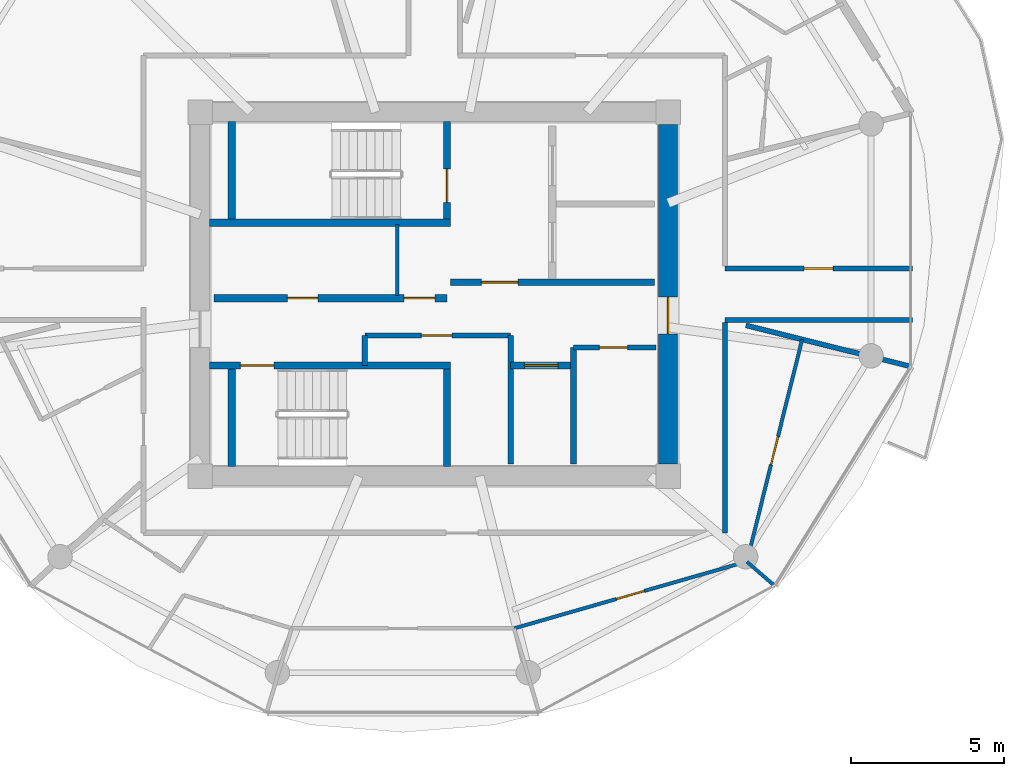
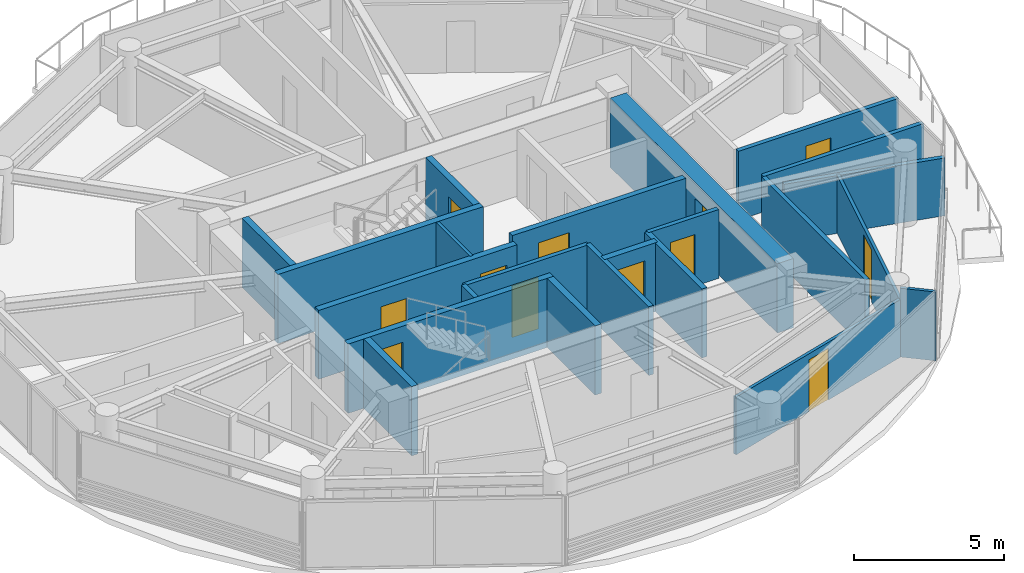
# One storey, part 15 of 23: 23 walls, 12 doors, 12 openings.
"""IFC4 building model written with IfcOpenShell, lengths in metres."""

from ifc_helpers import new_model, si_unit, direction, frame, frame_2d, origin, place, context, subcontext, project, spatial, rectangle, extrude, source, transform, mapped, material, layer, layer_set, type_object, type_shapes, element, fill, save


model = new_model("IFC4")

# Units and contexts
model_context = context("Model", 3, precision=1e-05, world=origin(), true_north=direction((0.0, 1.0)))
body_context = subcontext(model_context, "Body", "Model", "MODEL_VIEW")
ifc_project = project(units=[si_unit("LENGTHUNIT", "METRE"), si_unit("AREAUNIT", "SQUARE_METRE"), si_unit("VOLUMEUNIT", "CUBIC_METRE"), si_unit("PLANEANGLEUNIT", "RADIAN"), si_unit("MASSUNIT", "GRAM", prefix="KILO")], contexts=[model_context])

# Site, building, storey
site_placement = place(None, origin())
site = spatial("IfcSite", under=ifc_project, at=site_placement, CompositionType="ELEMENT")
building_placement = place(site_placement, origin())
building = spatial("IfcBuilding", under=site, at=building_placement, Name="Norrkilde Senior Care Towers", CompositionType="ELEMENT")
storey_placement = place(building_placement, frame((0.0, 0.0, 173.949951171875)))
storey = spatial("IfcBuildingStorey", under=building, at=storey_placement, Name="L54", CompositionType="ELEMENT", Elevation=173.949951171875)

# Wall, opening, door
ifc_material_1 = material(Name="Concrete C50/60", Category="concrete")
ifc_layer_1 = layer(ifc_material_1, 0.6201171875)
ifc_layer_set_1 = layer_set([ifc_layer_1], Name="Concrete C50/60")
wall_type_1 = type_object("IfcWallType", Name="Core Shear Wall Z3 620", PredefinedType="SHEAR", material=ifc_layer_set_1)
shared_shape_1 = source(origin(), body_context, "Body", "SweptSolid", [
    extrude(rectangle(XDim=11.10009765625, YDim=0.6201171875, at=frame_2d((5.550048828125, 0.0))), origin(), (0.0, 0.0, 1.0), 2.81005859375),
])
type_shapes(wall_type_1, [shared_shape_1])
wall_1_placement = place(storey_placement, frame((35.64990234375, 5.550048828125, 0.0), z_axis=(0.0, 0.0, 1.0), x_axis=(0.0, -1.0, 0.0)))
wall_1 = element("IfcWall", 1, at=wall_1_placement, inside=storey, type_object=wall_type_1, Name="L54 Core E East Shear Wall", PredefinedType="SHEAR", context=body_context, shape_type="MappedRepresentation", body=[
    mapped(shared_shape_1, transform((0.0, 0.0, 0.0), x_axis=(1.0, 0.0, 0.0), y_axis=(0.0, 1.0, 0.0), z_axis=(0.0, 0.0, 1.0), scale=1.0)),
])
opening_1_placement = place(wall_1_placement, frame((5.64990234375, 0.0, 0.0)))
opening_1 = element("IfcOpeningElement", 2, at=opening_1_placement, cuts=wall_1, Name="Opening D-04", PredefinedType="OPENING", context=body_context, shape_type="SweptSolid", body=[
    extrude(rectangle(XDim=1.199951171875, YDim=2.14990234375, at=frame_2d((0.60009765625, 1.074951171875))), frame((0.0, 0.320068359375, 0.0), z_axis=(0.0, -1.0, 0.0), x_axis=(1.0, 0.0, 0.0)), (0.0, 0.0, 1.0), 0.64013671875),
])
ifc_material_2 = material(Name="Galvanised Painted Steel", Category="steel")
door_type_1 = type_object("IfcDoorType", Name="Firefighting Lobby Fire Door 1200x2150", OperationType="NOTDEFINED", PredefinedType="DOOR", material=ifc_material_2)
shared_shape_2 = source(origin(), body_context, "Body", "SweptSolid", [
    extrude(rectangle(XDim=1.199951171875, YDim=2.14990234375, at=frame_2d((0.60009765625, 1.074951171875))), frame((0.0, 0.02490234375, 0.0), z_axis=(0.0, -1.0, 0.0), x_axis=(1.0, 0.0, 0.0)), (0.0, 0.0, 1.0), 0.050048828125),
])
type_shapes(door_type_1, [shared_shape_2])
door_1_placement = place(opening_1_placement, frame((1.199951171875, 0.0, 0.0), z_axis=(0.0, 0.0, 1.0), x_axis=(-1.0, 0.0, 0.0)))
door_1 = element("IfcDoor", 3, at=door_1_placement, inside=storey, type_object=door_type_1, Name="L54 Core E East Portal Door", OperationType="SINGLE_SWING_RIGHT", OverallHeight=2.14990234375, OverallWidth=1.199951171875, PredefinedType="DOOR", context=body_context, shape_type="MappedRepresentation", body=[
    mapped(shared_shape_2, transform((0.0, 0.0, 0.0), x_axis=(1.0, 0.0, 0.0), y_axis=(0.0, 1.0, 0.0), z_axis=(0.0, 0.0, 1.0), scale=1.0)),
])
fill(opening_1, door_1)

# Wall
ifc_material_3 = material(Name="Concrete C45/55", Category="concrete")
ifc_layer_2 = layer(ifc_material_3, 0.239990234375)
ifc_layer_set_2 = layer_set([ifc_layer_2], Name="Concrete C45/55")
wall_type_2 = type_object("IfcWallType", Name="Shaft and Stair Enclosure Wall 240", PredefinedType="PARTITIONING", material=ifc_layer_set_2)
shared_shape_3 = source(origin(), body_context, "Body", "SweptSolid", [
    extrude(rectangle(XDim=7.880126953125, YDim=0.239990234375, at=frame_2d((3.93994140625, 0.0))), origin(), (0.0, 0.0, 1.0), 2.81005859375),
])
wall_2_placement = place(storey_placement, frame((20.659912109375, 2.330078125, 0.0), z_axis=(0.0, 0.0, 1.0), x_axis=(1.0, 0.0, 0.0)))
element("IfcWall", 4, at=wall_2_placement, inside=storey, type_object=wall_type_2, Name="WL-INT-L54-E-ST1S", PredefinedType="PARTITIONING", context=body_context, shape_type="MappedRepresentation", body=[
    mapped(shared_shape_3, transform((0.0, 0.0, 0.0), x_axis=(1.0, 0.0, 0.0), y_axis=(0.0, 1.0, 0.0), z_axis=(0.0, 0.0, 1.0), scale=1.0)),
])

# Wall, opening, door
wall_3_placement = place(storey_placement, frame((20.659912109375, -2.330078125, 0.0), z_axis=(0.0, 0.0, 1.0), x_axis=(1.0, 0.0, 0.0)))
wall_3 = element("IfcWall", 5, at=wall_3_placement, inside=storey, type_object=wall_type_2, Name="WL-INT-L54-E-ST2N", PredefinedType="PARTITIONING", context=body_context, shape_type="MappedRepresentation", body=[
    mapped(shared_shape_3, transform((0.0, 0.0, 0.0), x_axis=(1.0, 0.0, 0.0), y_axis=(0.0, 1.0, 0.0), z_axis=(0.0, 0.0, 1.0), scale=1.0)),
])
opening_2_placement = place(wall_3_placement, frame((1.0, 0.0, 0.0)))
opening_2 = element("IfcOpeningElement", 6, at=opening_2_placement, cuts=wall_3, Name="Opening D-03", PredefinedType="OPENING", context=body_context, shape_type="SweptSolid", body=[
    extrude(rectangle(XDim=1.10009765625, YDim=2.14990234375, at=frame_2d((0.550048828125, 1.074951171875))), frame((0.0, 0.1298828125, 0.0), z_axis=(0.0, -1.0, 0.0), x_axis=(1.0, 0.0, 0.0)), (0.0, 0.0, 1.0), 0.260009765625),
])
door_type_2 = type_object("IfcDoorType", Name="Stairwell Protected Fire Door 1100x2150", OperationType="NOTDEFINED", PredefinedType="DOOR", material=ifc_material_2)
shared_shape_4 = source(origin(), body_context, "Body", "SweptSolid", [
    extrude(rectangle(XDim=1.10009765625, YDim=2.14990234375, at=frame_2d((0.550048828125, 1.074951171875))), frame((0.0, 0.02490234375, 0.0), z_axis=(0.0, -1.0, 0.0), x_axis=(1.0, 0.0, 0.0)), (0.0, 0.0, 1.0), 0.050048828125),
])
type_shapes(door_type_2, [shared_shape_4])
door_2_placement = place(opening_2_placement, frame((1.10009765625, 0.0, 0.0), z_axis=(0.0, 0.0, 1.0), x_axis=(-1.0, 0.0, 0.0)))
door_2 = element("IfcDoor", 7, at=door_2_placement, inside=storey, type_object=door_type_2, Name="L54 Stair E2 Fire Door", OperationType="SINGLE_SWING_RIGHT", OverallHeight=2.14990234375, OverallWidth=1.10009765625, PredefinedType="DOOR", context=body_context, shape_type="MappedRepresentation", body=[
    mapped(shared_shape_4, transform((0.0, 0.0, 0.0), x_axis=(1.0, 0.0, 0.0), y_axis=(0.0, 1.0, 0.0), z_axis=(0.0, 0.0, 1.0), scale=1.0)),
])
fill(opening_2, door_2)

# Wall
shared_shape_5 = source(origin(), body_context, "Body", "SweptSolid", [
    extrude(rectangle(XDim=3.18994140625, YDim=0.239990234375, at=frame_2d((1.594970703125, 0.0))), origin(), (0.0, 0.0, 1.0), 2.81005859375),
])
type_shapes(wall_type_2, [shared_shape_3, shared_shape_5])
wall_4_placement = place(storey_placement, frame((21.3798828125, 2.449951171875, 0.0), z_axis=(0.0, 0.0, 1.0), x_axis=(0.0, 1.0, 0.0)))
element("IfcWall", 8, at=wall_4_placement, inside=storey, type_object=wall_type_2, Name="WL-INT-L54-E-ST1W", PredefinedType="PARTITIONING", context=body_context, shape_type="MappedRepresentation", body=[
    mapped(shared_shape_5, transform((0.0, 0.0, 0.0), x_axis=(1.0, 0.0, 0.0), y_axis=(0.0, 1.0, 0.0), z_axis=(0.0, 0.0, 1.0), scale=1.0)),
])

# Wall, opening, door
wall_5_placement = place(storey_placement, frame((28.419921875, 2.449951171875, 0.0), z_axis=(0.0, 0.0, 1.0), x_axis=(0.0, 1.0, 0.0)))
wall_5 = element("IfcWall", 9, at=wall_5_placement, inside=storey, type_object=wall_type_2, Name="WL-INT-L54-E-ST1E", PredefinedType="PARTITIONING", context=body_context, shape_type="MappedRepresentation", body=[
    mapped(shared_shape_5, transform((0.0, 0.0, 0.0), x_axis=(1.0, 0.0, 0.0), y_axis=(0.0, 1.0, 0.0), z_axis=(0.0, 0.0, 1.0), scale=1.0)),
])
opening_3_placement = place(wall_5_placement, frame((0.550048828125, 0.0, 0.0)))
opening_3 = element("IfcOpeningElement", 10, at=opening_3_placement, cuts=wall_5, Name="Opening D-03", PredefinedType="OPENING", context=body_context, shape_type="SweptSolid", body=[
    extrude(rectangle(XDim=1.10009765625, YDim=2.14990234375, at=frame_2d((0.550048828125, 1.074951171875))), frame((0.0, 0.1298828125, 0.0), z_axis=(0.0, -1.0, 0.0), x_axis=(1.0, 0.0, 0.0)), (0.0, 0.0, 1.0), 0.260009765625),
])
door_3_placement = place(opening_3_placement, origin())
door_3 = element("IfcDoor", 11, at=door_3_placement, inside=storey, type_object=door_type_2, Name="L54 Stair E1 Fire Door", OperationType="SINGLE_SWING_LEFT", OverallHeight=2.14990234375, OverallWidth=1.10009765625, PredefinedType="DOOR", context=body_context, shape_type="MappedRepresentation", body=[
    mapped(shared_shape_4, transform((0.0, 0.0, 0.0), x_axis=(1.0, 0.0, 0.0), y_axis=(0.0, 1.0, 0.0), z_axis=(0.0, 0.0, 1.0), scale=1.0)),
])
fill(opening_3, door_3)

# Walls
for number, where, z_axis, x_axis, name in (
    (12, (21.3798828125, -5.639892578125, 0.0), (0.0, 0.0, 1.0), (0.0, 1.0, 0.0), "WL-INT-L54-E-ST2W"),
    (13, (28.419921875, -5.639892578125, 0.0), (0.0, 0.0, 1.0), (0.0, 1.0, 0.0), "WL-INT-L54-E-ST2E"),
):
    element("IfcWall", number, at=place(storey_placement, frame(where, z_axis=z_axis, x_axis=x_axis)), inside=storey, type_object=wall_type_2, Name=name, PredefinedType="PARTITIONING", context=body_context, shape_type="MappedRepresentation", body=[
        mapped(shared_shape_5, transform((0.0, 0.0, 0.0), x_axis=(1.0, 0.0, 0.0), y_axis=(0.0, 1.0, 0.0), z_axis=(0.0, 0.0, 1.0), scale=1.0)),
    ])

# Wall, opening, door
ifc_layer_3 = layer(ifc_material_3, 0.2099609375)
ifc_layer_set_3 = layer_set([ifc_layer_3], Name="Concrete C45/55")
wall_type_3 = type_object("IfcWallType", Name="Firefighting Lobby Wall 210", PredefinedType="PARTITIONING", material=ifc_layer_set_3)
shared_shape_6 = source(origin(), body_context, "Body", "SweptSolid", [
    extrude(rectangle(XDim=6.659912109375, YDim=0.2099609375, at=frame_2d((3.330078125, 0.0))), origin(), (0.0, 0.0, 1.0), 2.795166015625),
])
type_shapes(wall_type_3, [shared_shape_6])
wall_6_placement = place(storey_placement, frame((28.5400390625, 0.389892578125, 0.0), z_axis=(0.0, 0.0, 1.0), x_axis=(1.0, 0.0, 0.0)))
wall_6 = element("IfcWall", 14, at=wall_6_placement, inside=storey, type_object=wall_type_3, Name="WL-INT-L54-E-FFLS", PredefinedType="PARTITIONING", context=body_context, shape_type="MappedRepresentation", body=[
    mapped(shared_shape_6, transform((0.0, 0.0, 0.0), x_axis=(1.0, 0.0, 0.0), y_axis=(0.0, 1.0, 0.0), z_axis=(0.0, 0.0, 1.0), scale=1.0)),
])
opening_4_placement = place(wall_6_placement, frame((1.0, 0.0, 0.0)))
opening_4 = element("IfcOpeningElement", 15, at=opening_4_placement, cuts=wall_6, Name="Opening D-04", PredefinedType="OPENING", context=body_context, shape_type="SweptSolid", body=[
    extrude(rectangle(XDim=1.199951171875, YDim=2.14990234375, at=frame_2d((0.60009765625, 1.074951171875))), frame((0.0, 0.114990234375, 0.0), z_axis=(0.0, -1.0, 0.0), x_axis=(1.0, 0.0, 0.0)), (0.0, 0.0, 1.0), 0.22998046875),
])
door_4_placement = place(opening_4_placement, frame((1.199951171875, 0.0, 0.0), z_axis=(0.0, 0.0, 1.0), x_axis=(-1.0, 0.0, 0.0)))
door_4 = element("IfcDoor", 16, at=door_4_placement, inside=storey, type_object=door_type_1, Name="L54 Firefighting Lobby E Door", OperationType="SINGLE_SWING_LEFT", OverallHeight=2.14990234375, OverallWidth=1.199951171875, PredefinedType="DOOR", context=body_context, shape_type="MappedRepresentation", body=[
    mapped(shared_shape_2, transform((0.0, 0.0, 0.0), x_axis=(1.0, 0.0, 0.0), y_axis=(0.0, 1.0, 0.0), z_axis=(0.0, 0.0, 1.0), scale=1.0)),
])
fill(opening_4, door_4)

# Wall, openings, doors
ifc_layer_4 = layer(ifc_material_3, 0.239990234375)
ifc_layer_set_4 = layer_set([ifc_layer_4], Name="Concrete C45/55")
wall_type_4 = type_object("IfcWallType", Name="Lift and Plant Rated Enclosure Partition 240", PredefinedType="PARTITIONING", material=ifc_layer_set_4)
shared_shape_7 = source(origin(), body_context, "Body", "SweptSolid", [
    extrude(rectangle(XDim=7.619873046875, YDim=0.239990234375, at=frame_2d((3.81005859375, 0.0))), origin(), (0.0, 0.0, 1.0), 2.795166015625),
])
wall_7_placement = place(storey_placement, frame((20.800048828125, -0.1298828125, 0.0), z_axis=(0.0, 0.0, 1.0), x_axis=(1.0, 0.0, 0.0)))
wall_7 = element("IfcWall", 17, at=wall_7_placement, inside=storey, type_object=wall_type_4, Name="WL-INT-L54-E-PKAS", PredefinedType="PARTITIONING", context=body_context, shape_type="MappedRepresentation", body=[
    mapped(shared_shape_7, transform((0.0, 0.0, 0.0), x_axis=(1.0, 0.0, 0.0), y_axis=(0.0, 1.0, 0.0), z_axis=(0.0, 0.0, 1.0), scale=1.0)),
])
opening_5_placement = place(wall_7_placement, frame((6.219970703125, 0.0, 0.0)))
opening_5 = element("IfcOpeningElement", 18, at=opening_5_placement, cuts=wall_7, Name="Opening D-10", PredefinedType="OPENING", context=body_context, shape_type="SweptSolid", body=[
    extrude(rectangle(XDim=1.0, YDim=2.10009765625, at=frame_2d((0.5, 1.050048828125))), frame((0.0, 0.1298828125, 0.0), z_axis=(0.0, -1.0, 0.0), x_axis=(1.0, 0.0, 0.0)), (0.0, 0.0, 1.0), 0.260009765625),
])
opening_6_placement = place(wall_7_placement, frame((2.39990234375, 0.0, 0.0)))
opening_6 = element("IfcOpeningElement", 19, at=opening_6_placement, cuts=wall_7, Name="Opening D-10", PredefinedType="OPENING", context=body_context, shape_type="SweptSolid", body=[
    extrude(rectangle(XDim=1.0, YDim=2.10009765625, at=frame_2d((0.5, 1.050048828125))), frame((0.0, 0.1298828125, 0.0), z_axis=(0.0, -1.0, 0.0), x_axis=(1.0, 0.0, 0.0)), (0.0, 0.0, 1.0), 0.260009765625),
])
door_type_3 = type_object("IfcDoorType", Name="Plant and Riser Rated Door 1000x2100", OperationType="NOTDEFINED", PredefinedType="DOOR", material=ifc_material_2)
shared_shape_8 = source(origin(), body_context, "Body", "SweptSolid", [
    extrude(rectangle(XDim=1.0, YDim=2.10009765625, at=frame_2d((0.5, 1.050048828125))), frame((0.0, 0.02490234375, 0.0), z_axis=(0.0, -1.0, 0.0), x_axis=(1.0, 0.0, 0.0)), (0.0, 0.0, 1.0), 0.050048828125),
])
type_shapes(door_type_3, [shared_shape_8])
door_5_placement = place(opening_5_placement, frame((1.0, 0.0, 0.0), z_axis=(0.0, 0.0, 1.0), x_axis=(-1.0, 0.0, 0.0)))
door_5 = element("IfcDoor", 20, at=door_5_placement, inside=storey, type_object=door_type_3, Name="L54 Electrical Riser E Door", OperationType="SINGLE_SWING_LEFT", OverallHeight=2.10009765625, OverallWidth=1.0, PredefinedType="DOOR", context=body_context, shape_type="MappedRepresentation", body=[
    mapped(shared_shape_8, transform((0.0, 0.0, 0.0), x_axis=(1.0, 0.0, 0.0), y_axis=(0.0, 1.0, 0.0), z_axis=(0.0, 0.0, 1.0), scale=1.0)),
])
fill(opening_5, door_5)
door_6_placement = place(opening_6_placement, frame((1.0, 0.0, 0.0), z_axis=(0.0, 0.0, 1.0), x_axis=(-1.0, 0.0, 0.0)))
door_6 = element("IfcDoor", 21, at=door_6_placement, inside=storey, type_object=door_type_3, Name="L54 Clean Supply Store E Door", OperationType="SINGLE_SWING_LEFT", OverallHeight=2.10009765625, OverallWidth=1.0, PredefinedType="DOOR", context=body_context, shape_type="MappedRepresentation", body=[
    mapped(shared_shape_8, transform((0.0, 0.0, 0.0), x_axis=(1.0, 0.0, 0.0), y_axis=(0.0, 1.0, 0.0), z_axis=(0.0, 0.0, 1.0), scale=1.0)),
])
fill(opening_6, door_6)

# Walls
ifc_material_4 = material(Name="Gypsum Acoustic Board")
ifc_layer_5 = layer(ifc_material_4, 0.114990234375)
ifc_layer_set_5 = layer_set([ifc_layer_5], Name="Gypsum Acoustic Board")
wall_type_5 = type_object("IfcWallType", Name="Internal Room Partition 115", PredefinedType="PARTITIONING", material=ifc_layer_set_5)
shared_shape_9 = source(origin(), body_context, "Body", "SweptSolid", [
    extrude(rectangle(XDim=2.330078125, YDim=0.114990234375, at=frame_2d((1.1650390625, 0.0))), origin(), (0.0, 0.0, 1.0), 2.795166015625),
])
wall_8_placement = place(storey_placement, frame((26.7900390625, -0.050048828125, 0.0), z_axis=(0.0, 0.0, 1.0), x_axis=(0.0, 1.0, 0.0)))
element("IfcWall", 22, at=wall_8_placement, inside=storey, type_object=wall_type_5, Name="WL-INT-L54-E-RISW", PredefinedType="PARTITIONING", context=body_context, shape_type="MappedRepresentation", body=[
    mapped(shared_shape_9, transform((0.0, 0.0, 0.0), x_axis=(1.0, 0.0, 0.0), y_axis=(0.0, 1.0, 0.0), z_axis=(0.0, 0.0, 1.0), scale=1.0)),
])
ifc_layer_6 = layer(ifc_material_3, 0.199951171875)
ifc_layer_set_6 = layer_set([ifc_layer_6], Name="Concrete C45/55")
wall_type_6 = type_object("IfcWallType", Name="Shaft Division and Plant Partition 200", PredefinedType="PARTITIONING", material=ifc_layer_set_6)
shared_shape_10 = source(origin(), body_context, "Body", "SweptSolid", [
    extrude(rectangle(XDim=3.800048828125, YDim=0.199951171875, at=frame_2d((1.89990234375, 0.0))), origin(), (0.0, 0.0, 1.0), 2.795166015625),
])
type_shapes(wall_type_6, [shared_shape_10])
wall_9_placement = place(storey_placement, frame((32.550048828125, -5.550048828125, 0.0), z_axis=(0.0, 0.0, 1.0), x_axis=(0.0, 1.0, 0.0)))
element("IfcWall", 23, at=wall_9_placement, inside=storey, type_object=wall_type_6, Name="WL-INT-L54-E-PKBE", PredefinedType="PARTITIONING", context=body_context, shape_type="MappedRepresentation", body=[
    mapped(shared_shape_10, transform((0.0, 0.0, 0.0), x_axis=(1.0, 0.0, 0.0), y_axis=(0.0, 1.0, 0.0), z_axis=(0.0, 0.0, 1.0), scale=1.0)),
])

# Wall, opening, door
ifc_layer_7 = layer(ifc_material_4, 0.1650390625)
ifc_layer_set_7 = layer_set([ifc_layer_7], Name="Gypsum Acoustic Board")
wall_type_7 = type_object("IfcWallType", Name="Corridor Rated Partition 165", PredefinedType="PARTITIONING", material=ifc_layer_set_7)
shared_shape_11 = source(origin(), body_context, "Body", "SweptSolid", [
    extrude(rectangle(XDim=2.699951171875, YDim=0.1650390625, at=frame_2d((1.35009765625, 0.0))), origin(), (0.0, 0.0, 1.0), 2.795166015625),
])
wall_10_placement = place(storey_placement, frame((32.550048828125, -1.75, 0.0), z_axis=(0.0, 0.0, 1.0), x_axis=(1.0, 0.0, 0.0)))
wall_10 = element("IfcWall", 24, at=wall_10_placement, inside=storey, type_object=wall_type_7, Name="WL-INT-L54-E-CSN", PredefinedType="PARTITIONING", context=body_context, shape_type="MappedRepresentation", body=[
    mapped(shared_shape_11, transform((0.0, 0.0, 0.0), x_axis=(1.0, 0.0, 0.0), y_axis=(0.0, 1.0, 0.0), z_axis=(0.0, 0.0, 1.0), scale=1.0)),
])
opening_7_placement = place(wall_10_placement, frame((0.85009765625, 0.0, 0.0)))
opening_7 = element("IfcOpeningElement", 25, at=opening_7_placement, cuts=wall_10, Name="Opening D-12", PredefinedType="OPENING", context=body_context, shape_type="SweptSolid", body=[
    extrude(rectangle(XDim=0.925048828125, YDim=2.10009765625, at=frame_2d((0.46240234375, 1.050048828125))), frame((0.0, 0.092529296875, 0.0), z_axis=(0.0, -1.0, 0.0), x_axis=(1.0, 0.0, 0.0)), (0.0, 0.0, 1.0), 0.18505859375),
])
door_type_4 = type_object("IfcDoorType", Name="Core Wet Room Rated Door 925x2100", OperationType="NOTDEFINED", PredefinedType="DOOR", material=ifc_material_2)
shared_shape_12 = source(origin(), body_context, "Body", "SweptSolid", [
    extrude(rectangle(XDim=0.925048828125, YDim=2.10009765625, at=frame_2d((0.46240234375, 1.050048828125))), frame((0.0, 0.02490234375, 0.0), z_axis=(0.0, -1.0, 0.0), x_axis=(1.0, 0.0, 0.0)), (0.0, 0.0, 1.0), 0.050048828125),
])
type_shapes(door_type_4, [shared_shape_12])
door_7_placement = place(opening_7_placement, origin())
door_7 = element("IfcDoor", 26, at=door_7_placement, inside=storey, type_object=door_type_4, Name="L54 Core Utility E Door", OperationType="SINGLE_SWING_LEFT", OverallHeight=2.10009765625, OverallWidth=0.925048828125, PredefinedType="DOOR", context=body_context, shape_type="MappedRepresentation", body=[
    mapped(shared_shape_12, transform((0.0, 0.0, 0.0), x_axis=(1.0, 0.0, 0.0), y_axis=(0.0, 1.0, 0.0), z_axis=(0.0, 0.0, 1.0), scale=1.0)),
])
fill(opening_7, door_7)

# Walls
shared_shape_13 = source(origin(), body_context, "Body", "SweptSolid", [
    extrude(rectangle(XDim=6.880126953125, YDim=0.1650390625, at=frame_2d((3.43994140625, 0.0))), origin(), (0.0, 0.0, 1.0), 2.795166015625),
])
wall_11_placement = place(storey_placement, frame((37.5, -0.919921875, 0.0), z_axis=(0.0, 0.0, 1.0), x_axis=(0.0, -1.0, 0.0)))
element("IfcWall", 27, at=wall_11_placement, inside=storey, type_object=wall_type_7, Name="WL-INT-L54-E-CRW-E-1", PredefinedType="PARTITIONING", context=body_context, shape_type="MappedRepresentation", body=[
    mapped(shared_shape_13, transform((0.0, 0.0, 0.0), x_axis=(1.0, 0.0, 0.0), y_axis=(0.0, 1.0, 0.0), z_axis=(0.0, 0.0, 1.0), scale=1.0)),
])
shared_shape_14 = source(origin(), body_context, "Body", "SweptSolid", [
    extrude(rectangle(XDim=5.564208984375, YDim=0.1650390625, at=frame_2d((2.7822265625, 0.0))), origin(), (0.0, 0.0, 1.0), 2.344970703125),
])
wall_12_placement = place(storey_placement, frame((38.18994140625, -1.02001953125, 0.0), z_axis=(0.0, 0.0, 1.0), x_axis=(0.97031260977, -0.241854169533, 0.0)))
element("IfcWall", 28, at=wall_12_placement, inside=storey, type_object=wall_type_7, Name="WL-INT-L54-E-DEM-11-0", PredefinedType="PARTITIONING", context=body_context, shape_type="MappedRepresentation", body=[
    mapped(shared_shape_14, transform((0.0, 0.0, 0.0), x_axis=(1.0, 0.0, 0.0), y_axis=(0.0, 1.0, 0.0), z_axis=(0.0, 0.0, 1.0), scale=1.0)),
])

# Wall, opening, door
shared_shape_15 = source(origin(), body_context, "Body", "SweptSolid", [
    extrude(rectangle(XDim=6.138916015625, YDim=0.1650390625, at=frame_2d((3.0693359375, 0.0))), origin(), (0.0, 0.0, 1.0), 2.795166015625),
])
wall_13_placement = place(storey_placement, frame((37.5, 0.840087890625, 0.0), z_axis=(0.0, 0.0, 1.0), x_axis=(1.0, 0.0, 0.0)))
wall_13 = element("IfcWall", 29, at=wall_13_placement, inside=storey, type_object=wall_type_7, Name="WL-INT-L54-E-SPK-E1-0", PredefinedType="PARTITIONING", context=body_context, shape_type="MappedRepresentation", body=[
    mapped(shared_shape_15, transform((0.0, 0.0, 0.0), x_axis=(1.0, 0.0, 0.0), y_axis=(0.0, 1.0, 0.0), z_axis=(0.0, 0.0, 1.0), scale=1.0)),
])
opening_8_placement = place(wall_13_placement, frame((2.594482421875, 0.0, 0.0)))
opening_8 = element("IfcOpeningElement", 30, at=opening_8_placement, cuts=wall_13, Name="Opening D-07", PredefinedType="OPENING", context=body_context, shape_type="SweptSolid", body=[
    extrude(rectangle(XDim=0.949951171875, YDim=2.10009765625, at=frame_2d((0.47509765625, 1.050048828125))), frame((0.0, 0.092529296875, 0.0), z_axis=(0.0, -1.0, 0.0), x_axis=(1.0, 0.0, 0.0)), (0.0, 0.0, 1.0), 0.18505859375),
])
ifc_material_5 = material(Name="Nordic Ash Timber", Category="wood")
door_type_5 = type_object("IfcDoorType", Name="Internal Suite Bedroom Door 950x2100", OperationType="NOTDEFINED", PredefinedType="DOOR", material=ifc_material_5)
shared_shape_16 = source(origin(), body_context, "Body", "SweptSolid", [
    extrude(rectangle(XDim=0.949951171875, YDim=2.10009765625, at=frame_2d((0.47509765625, 1.050048828125))), frame((0.0, 0.02490234375, 0.0), z_axis=(0.0, -1.0, 0.0), x_axis=(1.0, 0.0, 0.0)), (0.0, 0.0, 1.0), 0.050048828125),
])
type_shapes(door_type_5, [shared_shape_16])
door_8_placement = place(opening_8_placement, frame((0.949951171875, 0.0, 0.0), z_axis=(0.0, 0.0, 1.0), x_axis=(-1.0, 0.0, 0.0)))
door_8 = element("IfcDoor", 31, at=door_8_placement, inside=storey, type_object=door_type_5, Name="L54 Sun Reading Lounge 5 Door", OperationType="SINGLE_SWING_RIGHT", OverallHeight=2.10009765625, OverallWidth=0.949951171875, PredefinedType="DOOR", context=body_context, shape_type="MappedRepresentation", body=[
    mapped(shared_shape_16, transform((0.0, 0.0, 0.0), x_axis=(1.0, 0.0, 0.0), y_axis=(0.0, 1.0, 0.0), z_axis=(0.0, 0.0, 1.0), scale=1.0)),
])
fill(opening_8, door_8)

# Wall
wall_14_placement = place(storey_placement, frame((43.638916015625, -0.840087890625, 0.0), z_axis=(0.0, 0.0, 1.0), x_axis=(-1.0, 0.0, 0.0)))
element("IfcWall", 32, at=wall_14_placement, inside=storey, type_object=wall_type_7, Name="WL-INT-L54-E-SPK-E2-0", PredefinedType="PARTITIONING", context=body_context, shape_type="MappedRepresentation", body=[
    mapped(shared_shape_15, transform((0.0, 0.0, 0.0), x_axis=(1.0, 0.0, 0.0), y_axis=(0.0, 1.0, 0.0), z_axis=(0.0, 0.0, 1.0), scale=1.0)),
])

# Wall, opening, door
shared_shape_17 = source(origin(), body_context, "Body", "SweptSolid", [
    extrude(rectangle(XDim=7.91064453125, YDim=0.114990234375, at=frame_2d((3.955322265625, 0.0))), origin(), (0.0, 0.0, 1.0), 2.344970703125),
])
wall_15_placement = place(storey_placement, frame((30.612548828125, -10.926513671875, 0.0), z_axis=(0.0, 0.0, 1.0), x_axis=(0.961104741235, 0.276184134908, 0.0)))
wall_15 = element("IfcWall", 33, at=wall_15_placement, inside=storey, type_object=wall_type_5, Name="WL-INT-L54-E-UBC-07-2", PredefinedType="PARTITIONING", context=body_context, shape_type="MappedRepresentation", body=[
    mapped(shared_shape_17, transform((0.0, 0.0, 0.0), x_axis=(1.0, 0.0, 0.0), y_axis=(0.0, 1.0, 0.0), z_axis=(0.0, 0.0, 1.0), scale=1.0)),
])
opening_9_placement = place(wall_15_placement, frame((3.480224609375, 0.0, 0.0)))
opening_9 = element("IfcOpeningElement", 34, at=opening_9_placement, cuts=wall_15, Name="Opening D-07", PredefinedType="OPENING", context=body_context, shape_type="SweptSolid", body=[
    extrude(rectangle(XDim=0.949951171875, YDim=2.10009765625, at=frame_2d((0.47509765625, 1.050048828125))), frame((0.0, 0.0673828125, 0.0), z_axis=(0.0, -1.0, 0.0), x_axis=(1.0, 0.0, 0.0)), (0.0, 0.0, 1.0), 0.135009765625),
])
door_9_placement = place(opening_9_placement, frame((0.949951171875, 0.0, 0.0), z_axis=(0.0, 0.0, 1.0), x_axis=(-1.0, 0.0, 0.0)))
door_9 = element("IfcDoor", 35, at=door_9_placement, inside=storey, type_object=door_type_5, Name="Apartment 54D Bedroom 2 Door", OperationType="SINGLE_SWING_RIGHT", OverallHeight=2.10009765625, OverallWidth=0.949951171875, PredefinedType="DOOR", context=body_context, shape_type="MappedRepresentation", body=[
    mapped(shared_shape_16, transform((0.0, 0.0, 0.0), x_axis=(1.0, 0.0, 0.0), y_axis=(0.0, 1.0, 0.0), z_axis=(0.0, 0.0, 1.0), scale=1.0)),
])
fill(opening_9, door_9)

shared_shape_18 = source(origin(), body_context, "Body", "SweptSolid", [
    extrude(rectangle(XDim=7.491943359375, YDim=0.114990234375, at=frame_2d((3.74609375, 0.0))), origin(), (0.0, 0.0, 1.0), 2.344970703125),
])
wall_16_placement = place(storey_placement, frame((38.223388671875, -8.748779296875, 0.0), z_axis=(0.0, 0.0, 1.0), x_axis=(0.24104782819, 0.970513237686, 0.0)))
wall_16 = element("IfcWall", 36, at=wall_16_placement, inside=storey, type_object=wall_type_5, Name="WL-INT-L54-E-UBC-07-3", PredefinedType="PARTITIONING", context=body_context, shape_type="MappedRepresentation", body=[
    mapped(shared_shape_18, transform((0.0, 0.0, 0.0), x_axis=(1.0, 0.0, 0.0), y_axis=(0.0, 1.0, 0.0), z_axis=(0.0, 0.0, 1.0), scale=1.0)),
])
opening_10_placement = place(wall_16_placement, frame((3.27099609375, 0.0, 0.0)))
opening_10 = element("IfcOpeningElement", 37, at=opening_10_placement, cuts=wall_16, Name="Opening D-07", PredefinedType="OPENING", context=body_context, shape_type="SweptSolid", body=[
    extrude(rectangle(XDim=0.949951171875, YDim=2.10009765625, at=frame_2d((0.47509765625, 1.050048828125))), frame((0.0, 0.0673828125, 0.0), z_axis=(0.0, -1.0, 0.0), x_axis=(1.0, 0.0, 0.0)), (0.0, 0.0, 1.0), 0.135009765625),
])
door_10_placement = place(opening_10_placement, origin())
door_10 = element("IfcDoor", 38, at=door_10_placement, inside=storey, type_object=door_type_5, Name="Apartment 54D Bedroom 3 Door", OperationType="SINGLE_SWING_LEFT", OverallHeight=2.10009765625, OverallWidth=0.949951171875, PredefinedType="DOOR", context=body_context, shape_type="MappedRepresentation", body=[
    mapped(shared_shape_16, transform((0.0, 0.0, 0.0), x_axis=(1.0, 0.0, 0.0), y_axis=(0.0, 1.0, 0.0), z_axis=(0.0, 0.0, 1.0), scale=1.0)),
])
fill(opening_10, door_10)

shared_shape_19 = source(origin(), body_context, "Body", "SweptSolid", [
    extrude(rectangle(XDim=2.050048828125, YDim=0.239990234375, at=frame_2d((1.02490234375, 0.0))), origin(), (0.0, 0.0, 1.0), 2.795166015625),
])
type_shapes(wall_type_4, [shared_shape_7, shared_shape_19])
wall_17_placement = place(storey_placement, frame((30.5, -2.330078125, 0.0), z_axis=(0.0, 0.0, 1.0), x_axis=(1.0, 0.0, 0.0)))
wall_17 = element("IfcWall", 39, at=wall_17_placement, inside=storey, type_object=wall_type_4, Name="WL-INT-L54-E-PL4N", PredefinedType="PARTITIONING", context=body_context, shape_type="MappedRepresentation", body=[
    mapped(shared_shape_19, transform((0.0, 0.0, 0.0), x_axis=(1.0, 0.0, 0.0), y_axis=(0.0, 1.0, 0.0), z_axis=(0.0, 0.0, 1.0), scale=1.0)),
])
opening_11_placement = place(wall_17_placement, frame((0.449951171875, 0.0, 0.0)))
opening_11 = element("IfcOpeningElement", 40, at=opening_11_placement, cuts=wall_17, Name="Opening LD-01", PredefinedType="OPENING", context=body_context, shape_type="SweptSolid", body=[
    extrude(rectangle(XDim=1.10009765625, YDim=2.199951171875, at=frame_2d((0.550048828125, 1.10009765625))), frame((0.0, 0.1298828125, 0.0), z_axis=(0.0, -1.0, 0.0), x_axis=(1.0, 0.0, 0.0)), (0.0, 0.0, 1.0), 0.260009765625),
])
ifc_material_6 = material(Name="Stainless Steel", Category="steel")
door_type_6 = type_object("IfcDoorType", Name="Lift Landing Sliding Door 1100x2200", OperationType="NOTDEFINED", PredefinedType="DOOR", material=ifc_material_6)
shared_shape_20 = source(origin(), body_context, "Body", "SweptSolid", [
    extrude(rectangle(XDim=1.10009765625, YDim=2.199951171875, at=frame_2d((0.550048828125, 1.10009765625))), frame((0.0, 0.02490234375, 0.0), z_axis=(0.0, -1.0, 0.0), x_axis=(1.0, 0.0, 0.0)), (0.0, 0.0, 1.0), 0.050048828125),
])
type_shapes(door_type_6, [shared_shape_20])
door_11_placement = place(opening_11_placement, frame((1.10009765625, 0.0, 0.0), z_axis=(0.0, 0.0, 1.0), x_axis=(-1.0, 0.0, 0.0)))
door_11 = element("IfcDoor", 41, at=door_11_placement, inside=storey, type_object=door_type_6, Name="L54 Passenger Lift E4 Landing Door", OperationType="SLIDING_TO_RIGHT", OverallHeight=2.199951171875, OverallWidth=1.10009765625, PredefinedType="DOOR", context=body_context, shape_type="MappedRepresentation", body=[
    mapped(shared_shape_20, transform((0.0, 0.0, 0.0), x_axis=(1.0, 0.0, 0.0), y_axis=(0.0, 1.0, 0.0), z_axis=(0.0, 0.0, 1.0), scale=1.0)),
])
fill(opening_11, door_11)

# Wall
ifc_layer_8 = layer(ifc_material_3, 0.179931640625)
ifc_layer_set_8 = layer_set([ifc_layer_8], Name="Concrete C45/55")
wall_type_8 = type_object("IfcWallType", Name="Hoistway Division Rated Partition 180", PredefinedType="PARTITIONING", material=ifc_layer_set_8)
shared_shape_21 = source(origin(), body_context, "Body", "SweptSolid", [
    extrude(rectangle(XDim=4.199951171875, YDim=0.179931640625, at=frame_2d((2.10009765625, 0.0))), origin(), (0.0, 0.0, 1.0), 2.795166015625),
])
type_shapes(wall_type_8, [shared_shape_21])
wall_18_placement = place(storey_placement, frame((30.5, -5.550048828125, 0.0), z_axis=(0.0, 0.0, 1.0), x_axis=(0.0, 1.0, 0.0)))
element("IfcWall", 42, at=wall_18_placement, inside=storey, type_object=wall_type_8, Name="WL-INT-L54-E-PL4W", PredefinedType="PARTITIONING", context=body_context, shape_type="MappedRepresentation", body=[
    mapped(shared_shape_21, transform((0.0, 0.0, 0.0), x_axis=(1.0, 0.0, 0.0), y_axis=(0.0, 1.0, 0.0), z_axis=(0.0, 0.0, 1.0), scale=1.0)),
])

# Wall, opening, door
shared_shape_22 = source(origin(), body_context, "Body", "SweptSolid", [
    extrude(rectangle(XDim=4.77001953125, YDim=0.1650390625, at=frame_2d((2.385009765625, 0.0))), origin(), (0.0, 0.0, 1.0), 2.795166015625),
])
wall_19_placement = place(storey_placement, frame((25.72998046875, -1.35009765625, 0.0), z_axis=(0.0, 0.0, 1.0), x_axis=(1.0, 0.0, 0.0)))
wall_19 = element("IfcWall", 43, at=wall_19_placement, inside=storey, type_object=wall_type_7, Name="WL-INT-L54-E-FR2N", PredefinedType="PARTITIONING", context=body_context, shape_type="MappedRepresentation", body=[
    mapped(shared_shape_22, transform((0.0, 0.0, 0.0), x_axis=(1.0, 0.0, 0.0), y_axis=(0.0, 1.0, 0.0), z_axis=(0.0, 0.0, 1.0), scale=1.0)),
])
opening_12_placement = place(wall_19_placement, frame((1.85009765625, 0.0, 0.0)))
opening_12 = element("IfcOpeningElement", 44, at=opening_12_placement, cuts=wall_19, Name="Opening D-10", PredefinedType="OPENING", context=body_context, shape_type="SweptSolid", body=[
    extrude(rectangle(XDim=1.0, YDim=2.10009765625, at=frame_2d((0.5, 1.050048828125))), frame((0.0, 0.092529296875, 0.0), z_axis=(0.0, -1.0, 0.0), x_axis=(1.0, 0.0, 0.0)), (0.0, 0.0, 1.0), 0.18505859375),
])
door_12_placement = place(opening_12_placement, origin())
door_12 = element("IfcDoor", 45, at=door_12_placement, inside=storey, type_object=door_type_3, Name="L54 Core Pantry E Door", OperationType="SINGLE_SWING_RIGHT", OverallHeight=2.10009765625, OverallWidth=1.0, PredefinedType="DOOR", context=body_context, shape_type="MappedRepresentation", body=[
    mapped(shared_shape_8, transform((0.0, 0.0, 0.0), x_axis=(1.0, 0.0, 0.0), y_axis=(0.0, 1.0, 0.0), z_axis=(0.0, 0.0, 1.0), scale=1.0)),
])
fill(opening_12, door_12)

# Walls
shared_shape_23 = source(origin(), body_context, "Body", "SweptSolid", [
    extrude(rectangle(XDim=0.97998046875, YDim=0.1650390625, at=frame_2d((0.489990234375, 0.0))), origin(), (0.0, 0.0, 1.0), 2.795166015625),
])
type_shapes(wall_type_7, [shared_shape_11, shared_shape_13, shared_shape_14, shared_shape_15, shared_shape_22, shared_shape_23])
wall_20_placement = place(storey_placement, frame((25.72998046875, -2.330078125, 0.0), z_axis=(0.0, 0.0, 1.0), x_axis=(0.0, 1.0, 0.0)))
element("IfcWall", 46, at=wall_20_placement, inside=storey, type_object=wall_type_7, Name="WL-INT-L54-E-FR2W", PredefinedType="PARTITIONING", context=body_context, shape_type="MappedRepresentation", body=[
    mapped(shared_shape_23, transform((0.0, 0.0, 0.0), x_axis=(1.0, 0.0, 0.0), y_axis=(0.0, 1.0, 0.0), z_axis=(0.0, 0.0, 1.0), scale=1.0)),
])
shared_shape_24 = source(origin(), body_context, "Body", "SweptSolid", [
    extrude(rectangle(XDim=1.207763671875, YDim=0.114990234375, at=frame_2d((0.60400390625, 0.0))), origin(), (0.0, 0.0, 1.0), 2.795166015625),
])
type_shapes(wall_type_5, [shared_shape_9, shared_shape_17, shared_shape_18, shared_shape_24])
wall_21_placement = place(storey_placement, frame((38.223388671875, -8.748779296875, 0.0), z_axis=(0.0, 0.0, 1.0), x_axis=(0.75668207681, -0.653783018008, 0.0)))
element("IfcWall", 47, at=wall_21_placement, inside=storey, type_object=wall_type_5, Name="WL-INT-L54-E-UBR-07-3", PredefinedType="PARTITIONING", context=body_context, shape_type="MappedRepresentation", body=[
    mapped(shared_shape_24, transform((0.0, 0.0, 0.0), x_axis=(1.0, 0.0, 0.0), y_axis=(0.0, 1.0, 0.0), z_axis=(0.0, 0.0, 1.0), scale=1.0)),
])

save(model, "model.ifc")
